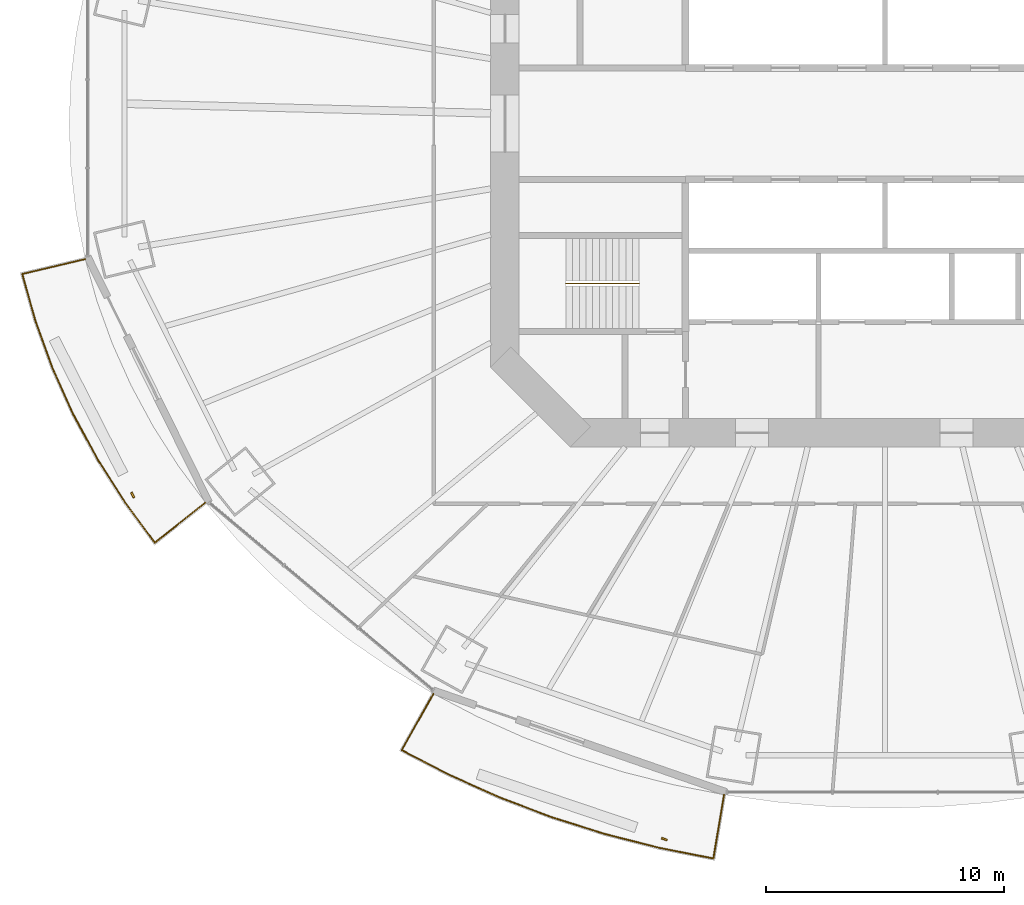
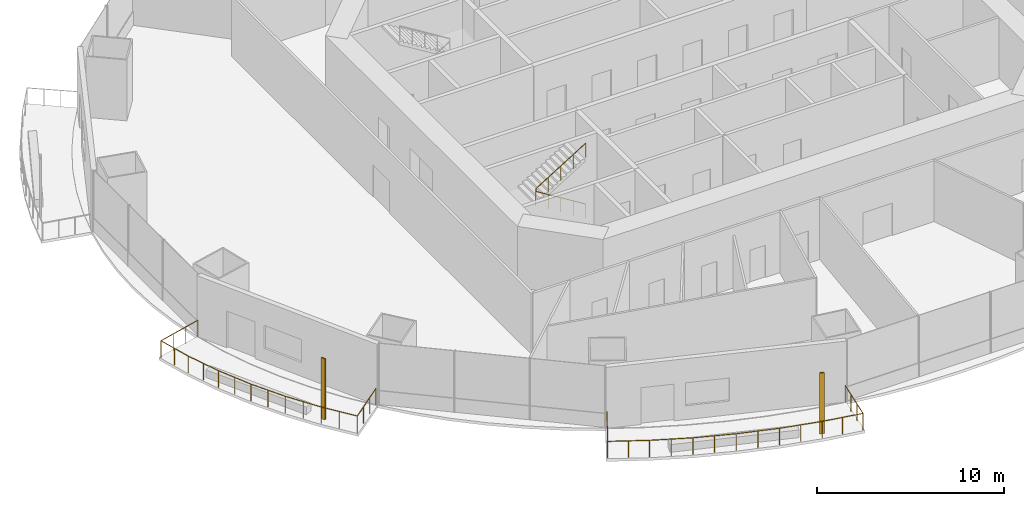
# One storey, part 17 of 22: 3 railings, 2 shading devices.
"""IFC4 building model written with IfcOpenShell, lengths in metres."""

from ifc_helpers import new_model, si_unit, direction, frame, origin, origin_2d, place, context, subcontext, project, spatial, rectangle, circle, extrude, material, material_profile, profile_set, type_object, element, save


model = new_model("IFC4")

# Units and contexts
model_context = context("Model", 3, precision=1e-05, world=origin(), true_north=direction((0.0, 1.0)))
body_context = subcontext(model_context, "Body", "Model", "MODEL_VIEW")
ifc_project = project(units=[si_unit("LENGTHUNIT", "METRE"), si_unit("AREAUNIT", "SQUARE_METRE"), si_unit("VOLUMEUNIT", "CUBIC_METRE"), si_unit("PLANEANGLEUNIT", "RADIAN"), si_unit("MASSUNIT", "GRAM", prefix="KILO")], contexts=[model_context])

# Site, building, storey
site_placement = place(None, origin())
site = spatial("IfcSite", under=ifc_project, at=site_placement, CompositionType="ELEMENT")
building_placement = place(site_placement, origin())
building = spatial("IfcBuilding", under=site, at=building_placement, Name="Marenthal Gate Tower", CompositionType="ELEMENT")
storey_placement = place(building_placement, frame((0.0, 0.0, 116.0)))
storey = spatial("IfcBuildingStorey", under=building, at=storey_placement, Name="L24", CompositionType="ELEMENT", Elevation=116.0)

# Railings
ifc_material_1 = material(Name="Stainless steel", Category="steel")
railing_type_1 = type_object("IfcRailingType", Name="Balcony guard 1100", PredefinedType="GUARDRAIL", material=ifc_material_1)
railing_1_placement = place(storey_placement, frame((-28.607666015625, -15.9423828125, 0.0)))
element("IfcRailing", 1, at=railing_1_placement, inside=storey, type_object=railing_type_1, Name="Balcony guard L24 bay 9", PredefinedType="GUARDRAIL", context=body_context, shape_type="SweptSolid", body=[
    extrude(circle(Radius=0.02392578125, at=origin_2d()), frame((0.0, 0.0, 1.076171875), z_axis=(-0.78234035398, -0.622677225641, -0.014718804411), x_axis=(0.622744685996, -0.782425112112, 0.0)), (0.0, 0.0, 1.0), 2.72021484375),
    extrude(circle(Radius=0.02392578125, at=origin_2d()), frame((-2.128173828125, -1.69384765625, 1.0361328125), z_axis=(-0.594374737218, 0.804188206676, 0.0), x_axis=(-0.804188206676, -0.594374737218, 0.0)), (0.0, 0.0, 1.0), 2.1025390625),
    extrude(circle(Radius=0.02392578125, at=origin_2d()), frame((-3.3779296875, -0.0029296875, 1.0361328125), z_axis=(-0.537437089424, 0.843303844953, 0.0), x_axis=(-0.843303844953, -0.537437089424, 0.0)), (0.0, 0.0, 1.0), 2.16552734375),
    extrude(circle(Radius=0.02392578125, at=origin_2d()), frame((-4.541748046875, 1.8232421875, 1.0361328125), z_axis=(-0.475203433283, 0.87987595546, 0.0), x_axis=(-0.87987595546, -0.475203433283, 0.0)), (0.0, 0.0, 1.0), 2.149658203125),
    extrude(circle(Radius=0.02392578125, at=origin_2d()), frame((-5.563232421875, 3.714599609375, 1.0361328125), z_axis=(-0.40931851754, 0.912391555857, 0.0), x_axis=(-0.912391555857, -0.40931851754, 0.0)), (0.0, 0.0, 1.0), 2.13525390625),
    extrude(circle(Radius=0.02392578125, at=origin_2d()), frame((-6.437255859375, 5.662841796875, 1.0361328125), z_axis=(-0.340071165829, 0.940399703409, 0.0), x_axis=(-0.940399703409, -0.340071165829, 0.0)), (0.0, 0.0, 1.0), 2.122802734375),
    extrude(circle(Radius=0.02392578125, at=origin_2d()), frame((-7.1591796875, 7.6591796875, 1.0361328125), z_axis=(-0.269340401915, 0.963045039391, 0.0), x_axis=(-0.963045039391, -0.269340401915, 0.0)), (0.0, 0.0, 1.0), 2.033203125),
    extrude(circle(Radius=0.02392578125, at=origin_2d()), frame((-7.706787109375, 9.6171875, 1.0361328125), z_axis=(0.972946801612, 0.230559942195, 0.014718501565), x_axis=(-0.230584919848, 0.973052205557, 0.0)), (0.0, 0.0, 1.0), 2.72021484375),
    extrude(circle(Radius=0.02099609375, at=origin_2d()), origin(), (0.0, 0.0, 1.0), 1.052001953125),
    extrude(circle(Radius=0.02099609375, at=origin_2d()), frame((-0.70947265625, -0.564697265625, -0.013427734375)), (0.0, 0.0, 1.0), 1.052001953125),
    extrude(circle(Radius=0.02099609375, at=origin_2d()), frame((-1.418701171875, -1.129150390625, -0.026611328125)), (0.0, 0.0, 1.0), 1.052001953125),
    extrude(circle(Radius=0.02099609375, at=origin_2d()), frame((-2.128173828125, -1.69384765625, -0.0400390625)), (0.0, 0.0, 1.0), 1.052001953125),
    extrude(circle(Radius=0.02099609375, at=origin_2d()), frame((-2.7529296875, -0.848388671875, -0.0400390625)), (0.0, 0.0, 1.0), 1.052001953125),
    extrude(circle(Radius=0.02099609375, at=origin_2d()), frame((-3.3779296875, -0.0029296875, -0.0400390625)), (0.0, 0.0, 1.0), 1.052001953125),
    extrude(circle(Radius=0.02099609375, at=origin_2d()), frame((-3.9599609375, 0.91015625, -0.0400390625)), (0.0, 0.0, 1.0), 1.052001953125),
    extrude(circle(Radius=0.02099609375, at=origin_2d()), frame((-4.541748046875, 1.8232421875, -0.0400390625)), (0.0, 0.0, 1.0), 1.052001953125),
    extrude(circle(Radius=0.02099609375, at=origin_2d()), frame((-5.052490234375, 2.76904296875, -0.0400390625)), (0.0, 0.0, 1.0), 1.052001953125),
    extrude(circle(Radius=0.02099609375, at=origin_2d()), frame((-5.563232421875, 3.714599609375, -0.0400390625)), (0.0, 0.0, 1.0), 1.052001953125),
    extrude(circle(Radius=0.02099609375, at=origin_2d()), frame((-6.000244140625, 4.688720703125, -0.0400390625)), (0.0, 0.0, 1.0), 1.052001953125),
    extrude(circle(Radius=0.02099609375, at=origin_2d()), frame((-6.437255859375, 5.662841796875, -0.0400390625)), (0.0, 0.0, 1.0), 1.052001953125),
    extrude(circle(Radius=0.02099609375, at=origin_2d()), frame((-6.79833984375, 6.6611328125, -0.0400390625)), (0.0, 0.0, 1.0), 1.052001953125),
    extrude(circle(Radius=0.02099609375, at=origin_2d()), frame((-7.1591796875, 7.6591796875, -0.0400390625)), (0.0, 0.0, 1.0), 1.052001953125),
    extrude(circle(Radius=0.02099609375, at=origin_2d()), frame((-7.43310546875, 8.63818359375, -0.0400390625)), (0.0, 0.0, 1.0), 1.052001953125),
    extrude(circle(Radius=0.02099609375, at=origin_2d()), frame((-7.706787109375, 9.6171875, -0.0400390625)), (0.0, 0.0, 1.0), 1.052001953125),
    extrude(circle(Radius=0.02099609375, at=origin_2d()), frame((-6.824462890625, 9.826171875, -0.026611328125)), (0.0, 0.0, 1.0), 1.052001953125),
    extrude(circle(Radius=0.02099609375, at=origin_2d()), frame((-5.9423828125, 10.035400390625, -0.013427734375)), (0.0, 0.0, 1.0), 1.052001953125),
    extrude(circle(Radius=0.02099609375, at=origin_2d()), frame((-5.06005859375, 10.244384765625, 0.0)), (0.0, 0.0, 1.0), 1.052001953125),
])
railing_2_placement = place(storey_placement, frame((-6.779541015625, -28.241455078125, 0.0)))
element("IfcRailing", 2, at=railing_2_placement, inside=storey, type_object=railing_type_1, Name="Balcony guard L24 bay 11", PredefinedType="GUARDRAIL", context=body_context, shape_type="SweptSolid", body=[
    extrude(circle(Radius=0.02392578125, at=origin_2d()), frame((0.0, 0.0, 1.076171875), z_axis=(-0.164686797849, -0.986236088047, -0.014718602097), x_axis=(0.986342933143, -0.164704639396, 0.0)), (0.0, 0.0, 1.0), 2.72021484375),
    extrude(circle(Radius=0.02392578125, at=origin_2d()), frame((-0.447998046875, -2.682861328125, 1.0361328125), z_axis=(-0.981215853429, 0.192913060677, 0.0), x_axis=(-0.192913060677, -0.981215853429, 0.0)), (0.0, 0.0, 1.0), 2.302001953125),
    extrude(circle(Radius=0.02392578125, at=origin_2d()), frame((-2.706787109375, -2.23876953125, 1.0361328125), z_axis=(-0.969104776695, 0.246649410675, 0.0), x_axis=(-0.246649410675, -0.969104776695, 0.0)), (0.0, 0.0, 1.0), 2.37255859375),
    extrude(circle(Radius=0.02392578125, at=origin_2d()), frame((-5.006103515625, -1.653564453125, 1.0361328125), z_axis=(-0.953609232067, 0.30104722639, 0.0), x_axis=(-0.30104722639, -0.953609232067, 0.0)), (0.0, 0.0, 1.0), 2.36083984375),
    extrude(circle(Radius=0.02392578125, at=origin_2d()), frame((-7.25732421875, -0.94287109375, 1.0361328125), z_axis=(-0.934764240257, 0.35526865206, 0.0), x_axis=(-0.35526865206, -0.934764240257, 0.0)), (0.0, 0.0, 1.0), 2.347412109375),
    extrude(circle(Radius=0.02392578125, at=origin_2d()), frame((-9.45166015625, -0.10888671875, 1.0361328125), z_axis=(-0.912494502903, 0.409088966083, 0.0), x_axis=(-0.409088966083, -0.912494502903, 0.0)), (0.0, 0.0, 1.0), 2.332275390625),
    extrude(circle(Radius=0.02392578125, at=origin_2d()), frame((-11.579833984375, 0.84521484375, 1.0361328125), z_axis=(-0.887125590865, 0.461528098855, 0.0), x_axis=(-0.461528098855, -0.887125590865, 0.0)), (0.0, 0.0, 1.0), 2.235595703125),
    extrude(circle(Radius=0.02392578125, at=origin_2d()), frame((-13.56298828125, 1.876953125, 1.0361328125), z_axis=(0.489197979897, 0.87204857286, 0.014718119373), x_axis=(-0.872143041114, 0.489250974283, 0.0)), (0.0, 0.0, 1.0), 2.720458984375),
    extrude(circle(Radius=0.02099609375, at=origin_2d()), origin(), (0.0, 0.0, 1.0), 1.052001953125),
    extrude(circle(Radius=0.02099609375, at=origin_2d()), frame((-0.1494140625, -0.894287109375, -0.013427734375)), (0.0, 0.0, 1.0), 1.052001953125),
    extrude(circle(Radius=0.02099609375, at=origin_2d()), frame((-0.298583984375, -1.78857421875, -0.026611328125)), (0.0, 0.0, 1.0), 1.052001953125),
    extrude(circle(Radius=0.02099609375, at=origin_2d()), frame((-0.447998046875, -2.682861328125, -0.0400390625)), (0.0, 0.0, 1.0), 1.052001953125),
    extrude(circle(Radius=0.02099609375, at=origin_2d()), frame((-1.577392578125, -2.4609375, -0.0400390625)), (0.0, 0.0, 1.0), 1.052001953125),
    extrude(circle(Radius=0.02099609375, at=origin_2d()), frame((-2.706787109375, -2.23876953125, -0.0400390625)), (0.0, 0.0, 1.0), 1.052001953125),
    extrude(circle(Radius=0.02099609375, at=origin_2d()), frame((-3.8564453125, -1.9462890625, -0.0400390625)), (0.0, 0.0, 1.0), 1.052001953125),
    extrude(circle(Radius=0.02099609375, at=origin_2d()), frame((-5.006103515625, -1.653564453125, -0.0400390625)), (0.0, 0.0, 1.0), 1.052001953125),
    extrude(circle(Radius=0.02099609375, at=origin_2d()), frame((-6.1318359375, -1.29833984375, -0.0400390625)), (0.0, 0.0, 1.0), 1.052001953125),
    extrude(circle(Radius=0.02099609375, at=origin_2d()), frame((-7.25732421875, -0.94287109375, -0.0400390625)), (0.0, 0.0, 1.0), 1.052001953125),
    extrude(circle(Radius=0.02099609375, at=origin_2d()), frame((-8.3544921875, -0.52587890625, -0.0400390625)), (0.0, 0.0, 1.0), 1.052001953125),
    extrude(circle(Radius=0.02099609375, at=origin_2d()), frame((-9.45166015625, -0.10888671875, -0.0400390625)), (0.0, 0.0, 1.0), 1.052001953125),
    extrude(circle(Radius=0.02099609375, at=origin_2d()), frame((-10.515625, 0.3681640625, -0.0400390625)), (0.0, 0.0, 1.0), 1.052001953125),
    extrude(circle(Radius=0.02099609375, at=origin_2d()), frame((-11.579833984375, 0.84521484375, -0.0400390625)), (0.0, 0.0, 1.0), 1.052001953125),
    extrude(circle(Radius=0.02099609375, at=origin_2d()), frame((-12.5712890625, 1.361083984375, -0.0400390625)), (0.0, 0.0, 1.0), 1.052001953125),
    extrude(circle(Radius=0.02099609375, at=origin_2d()), frame((-13.56298828125, 1.876953125, -0.0400390625)), (0.0, 0.0, 1.0), 1.052001953125),
    extrude(circle(Radius=0.02099609375, at=origin_2d()), frame((-13.119384765625, 2.667724609375, -0.026611328125)), (0.0, 0.0, 1.0), 1.052001953125),
    extrude(circle(Radius=0.02099609375, at=origin_2d()), frame((-12.67578125, 3.45849609375, -0.013427734375)), (0.0, 0.0, 1.0), 1.052001953125),
    extrude(circle(Radius=0.02099609375, at=origin_2d()), frame((-12.232177734375, 4.249267578125, 0.0)), (0.0, 0.0, 1.0), 1.052001953125),
])
ifc_material_2 = material(Name="Stainless steel", Category="steel")
railing_type_2 = type_object("IfcRailingType", Name="Stair handrail", PredefinedType="HANDRAIL", material=ifc_material_2)
railing_3_placement = place(storey_placement, frame((-10.35009765625, -6.72509765625, 0.1728515625)))
element("IfcRailing", 3, at=railing_3_placement, inside=storey, type_object=railing_type_2, Name="Handrail ST2", PredefinedType="HANDRAIL", context=body_context, shape_type="SweptSolid", body=[
    extrude(circle(Radius=0.0224609375, at=origin_2d()), frame((0.0, 0.0, 0.927490234375), z_axis=(-0.850816621229, 0.0, 0.525462726595), x_axis=(0.0, -1.0, 0.0)), (0.0, 0.0, 1.0), 3.619873046875),
    extrude(circle(Radius=0.0224609375, at=origin_2d()), frame((-3.079833984375, 0.0, 2.82958984375), z_axis=(0.0, 0.0, 1.0), x_axis=(1.0, 0.0, 0.0)), (0.0, 0.0, 1.0), 0.1728515625),
    extrude(circle(Radius=0.0224609375, at=origin_2d()), frame((-3.079833984375, 0.0, 3.00244140625), z_axis=(0.850816621229, 0.0, 0.525462726595), x_axis=(0.0, 1.0, 0.0)), (0.0, 0.0, 1.0), 3.619873046875),
    extrude(circle(Radius=0.02001953125, at=origin_2d()), origin(), (0.0, 0.0, 1.0), 0.905029296875),
    extrude(circle(Radius=0.02001953125, at=origin_2d()), frame((-0.77001953125, 0.0, 0.4755859375)), (0.0, 0.0, 1.0), 0.905029296875),
    extrude(circle(Radius=0.02001953125, at=origin_2d()), frame((-1.5400390625, 0.0, 0.951171875)), (0.0, 0.0, 1.0), 0.905029296875),
    extrude(circle(Radius=0.02001953125, at=origin_2d()), frame((-2.309814453125, 0.0, 1.426513671875)), (0.0, 0.0, 1.0), 0.905029296875),
    extrude(circle(Radius=0.02001953125, at=origin_2d()), frame((-3.079833984375, 0.0, 1.902099609375)), (0.0, 0.0, 1.0), 0.905029296875),
    extrude(circle(Radius=0.02001953125, at=origin_2d()), frame((-3.079833984375, 0.0, 2.074951171875)), (0.0, 0.0, 1.0), 0.905029296875),
    extrude(circle(Radius=0.02001953125, at=origin_2d()), frame((-2.309814453125, 0.0, 2.550537109375)), (0.0, 0.0, 1.0), 0.905029296875),
    extrude(circle(Radius=0.02001953125, at=origin_2d()), frame((-1.5400390625, 0.0, 3.02587890625)), (0.0, 0.0, 1.0), 0.905029296875),
    extrude(circle(Radius=0.02001953125, at=origin_2d()), frame((-0.77001953125, 0.0, 3.50146484375)), (0.0, 0.0, 1.0), 0.905029296875),
    extrude(circle(Radius=0.02001953125, at=origin_2d()), frame((0.0, 0.0, 3.97705078125)), (0.0, 0.0, 1.0), 0.905029296875),
])

# Shading devices
ifc_material_3 = material(Name="Terracotta", Category="masonry")
ifc_material_profile = material_profile(ifc_material_3, rectangle(XDim=0.25, YDim=0.080078125, at=origin_2d()), Name="Terracotta baguette 250x80")
ifc_profile_set = profile_set([ifc_material_profile], Name="Terracotta")
shading_device_type = type_object("IfcShadingDeviceType", Name="Terracotta BAGUETTE SCREEN 250x80", PredefinedType="USERDEFINED", material=ifc_profile_set)
for number, where, z_axis, x_axis, name in (
    (4, (-31.668212890625, -15.629150390625, -0.0400390625), (0.0, 0.0, 1.0), (0.442731257123, -0.896654355907, 0.0), "Terracotta BAGUETTE L24 bay 9R"),
    (5, (-9.29296875, -30.107666015625, -0.0400390625), (0.0, 0.0, 1.0), (0.94459732274, -0.328231469959, 0.0), "Terracotta BAGUETTE L24 bay 11R"),
):
    element("IfcShadingDevice", number, at=place(storey_placement, frame(where, z_axis=z_axis, x_axis=x_axis)), inside=storey, type_object=shading_device_type, Name=name, ObjectType="BAGUETTE SCREEN", PredefinedType="USERDEFINED", context=body_context, shape_type="SweptSolid", body=[
        extrude(rectangle(XDim=0.25, YDim=0.080078125, at=origin_2d()), origin(), (0.0, 0.0, 1.0), 3.969970703125),
    ])

save(model, "model.ifc")
